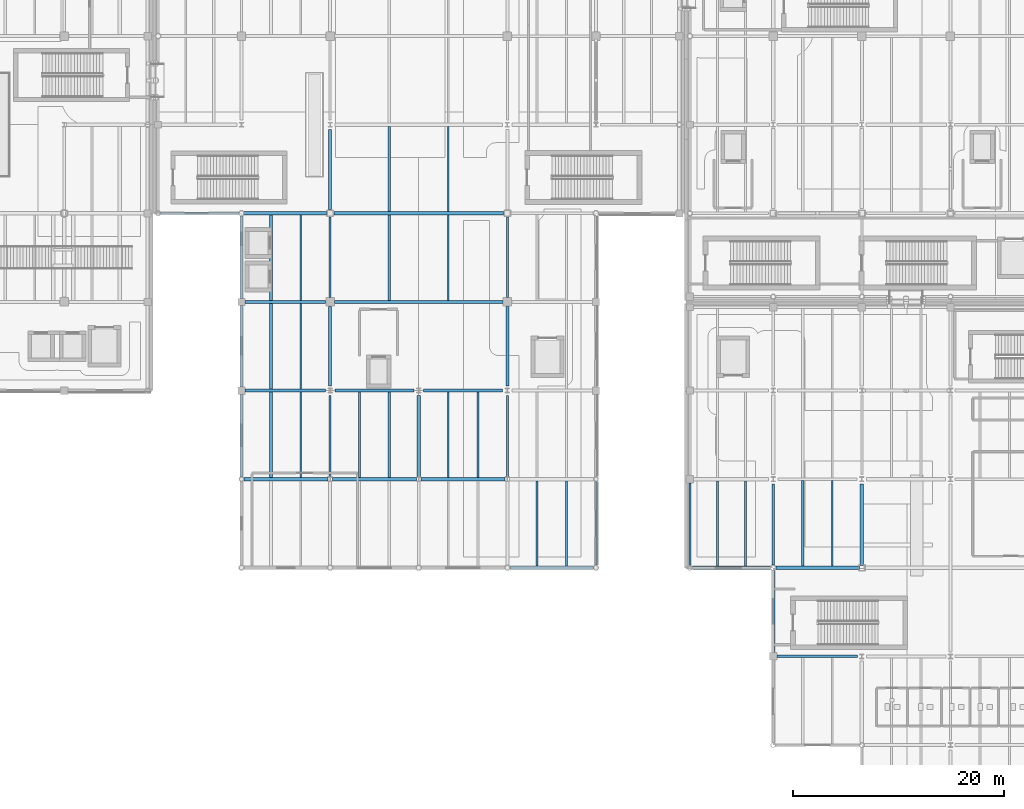
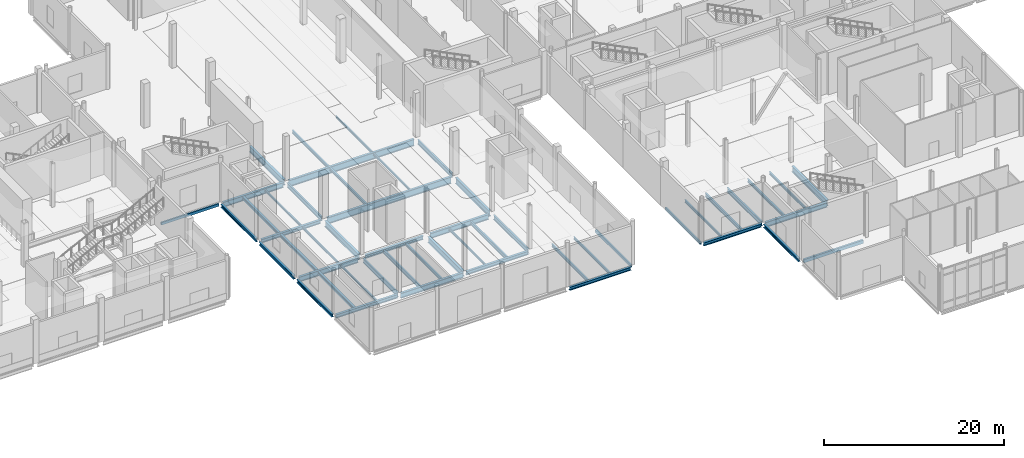
# One storey, part 19 of 85: 51 beams.
"""IFC4 building model written with IfcOpenShell, lengths in metres."""

import ifcopenshell
import ifcopenshell.guid

model = None  # the IFC model being written
_history = None  # IfcOwnerHistory: only IFC2X3 demands one
_inside = {}  # id of a spatial element -> (the spatial element, [elements in it])
_under = {}  # id of a project, library or spatial element -> (it, [spatial elements below it])
_declared = {}  # id of a project -> (the project, [libraries it declares])
_typed = {}  # id of a type object -> (the type object, [elements of that type])
_made_of = {}  # id of a material, layer set ... -> (it, [elements and type objects made of it])


def new_model(schema):
    """Start an empty IFC model of exactly this schema.

    Asked for "IFC4X3", IfcOpenShell would pick the latest addendum, in which some entities
    have other attributes; the version numbers below select the first issue.
    IFC2X3 requires an IfcOwnerHistory on every rooted entity: one is made here for all.
    """
    global model, _history
    if schema == "IFC4X3":
        model = ifcopenshell.file(schema_version=(4, 3, 0, 0))
    else:
        model = ifcopenshell.file(schema=schema)
    _inside.clear()
    _under.clear()
    _declared.clear()
    _typed.clear()
    _made_of.clear()
    _history = None
    if model.schema == "IFC2X3":
        org = make("IfcOrganization", Name="unknown")
        user = make(
            "IfcPersonAndOrganization",
            ThePerson=make("IfcPerson", FamilyName="unknown"),
            TheOrganization=org,
        )
        app = make(
            "IfcApplication",
            ApplicationDeveloper=org,
            Version="unknown",
            ApplicationFullName="unknown",
            ApplicationIdentifier="unknown",
        )
        _history = make(
            "IfcOwnerHistory",
            OwningUser=user,
            OwningApplication=app,
            ChangeAction="ADDED",
            CreationDate=0,
        )
    return model


def make(cls, **values):
    """One entity of the class cls with the attributes given. An attribute that is None is left unset."""
    return model.create_entity(
        cls, **{name: value for name, value in values.items() if value is not None}
    )


def rooted(cls, **values):
    """An entity with a GlobalId (a new one), such as an element, a storey or a relation."""
    return make(cls, GlobalId=ifcopenshell.guid.new(), OwnerHistory=_history, **values)


def si_unit(unit_type, name, prefix=None):
    """IfcSIUnit, for example si_unit("LENGTHUNIT", "METRE", prefix="MILLI")."""
    return make("IfcSIUnit", UnitType=unit_type, Prefix=prefix, Name=name)


def assignment(units):
    """IfcUnitAssignment: the units of a project."""
    return None if units is None else make("IfcUnitAssignment", Units=units)


def point(xyz):
    """IfcCartesianPoint."""
    return None if xyz is None else make("IfcCartesianPoint", Coordinates=xyz)


def direction(xyz):
    """IfcDirection."""
    return None if xyz is None else make("IfcDirection", DirectionRatios=xyz)


def frame(location, z_axis=None, x_axis=None):
    """IfcAxis2Placement3D, a coordinate frame: its origin and axes. An axis left out is left unset."""
    return make(
        "IfcAxis2Placement3D",
        Location=point(location),
        Axis=direction(z_axis),
        RefDirection=direction(x_axis),
    )


def frame_2d(location, x_axis=None):
    """IfcAxis2Placement2D, a coordinate frame in the plane: its origin and x axis."""
    return make(
        "IfcAxis2Placement2D", Location=point(location), RefDirection=direction(x_axis)
    )


def origin():
    """The frame at (0, 0, 0) with its axes left unset."""
    return frame((0.0, 0.0, 0.0))


def origin_2d():
    """The frame at (0, 0) in the plane with its x axis left unset."""
    return frame_2d((0.0, 0.0))


def place(relative_to, where):
    """IfcLocalPlacement: puts the frame where relative to a parent placement (None: the world)."""
    return make(
        "IfcLocalPlacement", PlacementRelTo=relative_to, RelativePlacement=where
    )


def context(
    kind, dimensions, precision=None, world=None, true_north=None, identifier=None
):
    """IfcGeometricRepresentationContext, for example the 3D "Model" context."""
    return make(
        "IfcGeometricRepresentationContext",
        ContextIdentifier=identifier,
        ContextType=kind,
        CoordinateSpaceDimension=dimensions,
        Precision=precision,
        WorldCoordinateSystem=world,
        TrueNorth=true_north,
    )


def subcontext(parent, identifier, kind, view, scale=None):
    """IfcGeometricRepresentationSubContext, for example "Body" below "Model"."""
    return make(
        "IfcGeometricRepresentationSubContext",
        ContextIdentifier=identifier,
        ContextType=kind,
        ParentContext=parent,
        TargetScale=scale,
        TargetView=view,
    )


def project(units=None, contexts=None):
    """IfcProject with its units and contexts."""
    return rooted(
        "IfcProject",
        Name="project",
        RepresentationContexts=contexts,
        UnitsInContext=assignment(units),
    )


def spatial(cls, under=None, at=None, **own):
    """A site, building, storey or space (cls), placed at a placement, below another one or the project."""
    s = rooted(cls, ObjectPlacement=at, **own)
    if under is not None:
        _under.setdefault(under.id(), (under, []))[1].append(s)
    return s


def profile(cls, at=None, kind="AREA", **sizes):
    """A parametric profile (cls). Its sizes go by their IFC names, for example OverallWidth=200.0."""
    return make(cls, ProfileType=kind, Position=at, **sizes)


def hollow_rectangle(**sizes):
    """IfcRectangleHollowProfileDef."""
    return profile("IfcRectangleHollowProfileDef", **sizes)


def i_section(**sizes):
    """IfcIShapeProfileDef."""
    return profile("IfcIShapeProfileDef", **sizes)


def extrude(swept, where, along, depth):
    """IfcExtrudedAreaSolid: the profile swept, set in the frame where, extruded along a direction by depth."""
    return make(
        "IfcExtrudedAreaSolid",
        SweptArea=swept,
        Position=where,
        ExtrudedDirection=direction(along),
        Depth=depth,
    )


def shape(context_of_items, identifier, shape_type, items):
    """IfcShapeRepresentation: the items that make up one representation, for example the "Body"."""
    return make(
        "IfcShapeRepresentation",
        ContextOfItems=context_of_items,
        RepresentationIdentifier=identifier,
        RepresentationType=shape_type,
        Items=items,
    )


def material(Name=None, Category=None):
    """IfcMaterial."""
    return make("IfcMaterial", Name=Name, Category=Category)


def material_profile(
    of_material, cross_section, Name=None, Category=None, Priority=None
):
    """IfcMaterialProfile: a cross section and its material."""
    return make(
        "IfcMaterialProfile",
        Name=Name,
        Material=of_material,
        Profile=cross_section,
        Priority=Priority,
        Category=Category,
    )


def profile_set(profiles, Name=None, composite=None):
    """IfcMaterialProfileSet."""
    return make(
        "IfcMaterialProfileSet",
        Name=Name,
        MaterialProfiles=profiles,
        CompositeProfile=composite,
    )


def made_of(thing, what):
    """Note that an element or type object is made of a material, layer set ...; save() writes the relation."""
    if what is not None:
        _made_of.setdefault(what.id(), (what, []))[1].append(thing)
    return thing


def type_object(cls, material=None, **own):
    """A type object (cls), such as IfcWallType, which elements share."""
    return made_of(rooted(cls, **own), material)


def element(
    cls,
    number,
    at=None,
    inside=None,
    cuts=None,
    type_object=None,
    material=None,
    context=None,
    identifier="Body",
    shape_type=None,
    held_by="IfcProductDefinitionShape",
    body=None,
    shapes=None,
    **own,
):
    """One element of the class cls, such as IfcWall. Its Tag is "e" and its number.

    at: its placement. inside: the storey or other place that contains it. cuts: it is an
    opening in that element (IfcRelVoidsElement). A single representation is given by context,
    identifier, shape_type and body (its items); several are given by shapes. held_by: the class
    of the entity that holds the representations. save() writes the other relations.
    """
    e = rooted(cls, Tag="e%d" % number, ObjectPlacement=at, **own)
    if body is not None:
        shapes = [shape(context, identifier, shape_type, body)]
    if shapes is not None:
        e.Representation = make(held_by, Representations=shapes)
    if inside is not None:
        _inside.setdefault(inside.id(), (inside, []))[1].append(e)
    if cuts is not None:
        rooted(
            "IfcRelVoidsElement", RelatingBuildingElement=cuts, RelatedOpeningElement=e
        )
    if type_object is not None:
        _typed.setdefault(type_object.id(), (type_object, []))[1].append(e)
    return made_of(e, material)


def aggregate(whole, parts):
    """IfcRelAggregates: a whole, such as a stair, and the parts it consists of."""
    return rooted("IfcRelAggregates", RelatingObject=whole, RelatedObjects=parts)


def save(model, path):
    """Write the relations noted so far, then the file.

    IfcRelAggregates (storeys below a building ...), IfcRelContainedInSpatialStructure (elements
    in a storey), IfcRelDefinesByType, IfcRelAssociatesMaterial and IfcRelDeclares: one each for
    every whole, place, type object, material and project.
    """
    for whole, parts in _under.values():
        aggregate(whole, parts)
    for where, things in _inside.values():
        rooted(
            "IfcRelContainedInSpatialStructure",
            RelatedElements=things,
            RelatingStructure=where,
        )
    for kind, things in _typed.values():
        rooted("IfcRelDefinesByType", RelatedObjects=things, RelatingType=kind)
    for what, things in _made_of.values():
        rooted("IfcRelAssociatesMaterial", RelatedObjects=things, RelatingMaterial=what)
    for by, libraries in _declared.values():
        rooted("IfcRelDeclares", RelatingContext=by, RelatedDefinitions=libraries)
    model.write(path)


model = new_model("IFC4")

# Units and contexts
model_context = context("Model", 3, precision=1e-05, world=origin(), true_north=direction((0.0, 1.0)))
body_context = subcontext(model_context, "Body", "Model", "MODEL_VIEW")
ifc_project = project(units=[si_unit("LENGTHUNIT", "METRE"), si_unit("AREAUNIT", "SQUARE_METRE"), si_unit("VOLUMEUNIT", "CUBIC_METRE"), si_unit("PLANEANGLEUNIT", "RADIAN"), si_unit("MASSUNIT", "GRAM", prefix="KILO"), si_unit("THERMODYNAMICTEMPERATUREUNIT", "KELVIN")], contexts=[model_context])

# Site, building, storey
site_placement = place(None, origin())
site = spatial("IfcSite", under=ifc_project, at=site_placement, CompositionType="ELEMENT")
building_placement = place(site_placement, origin())
building = spatial("IfcBuilding", under=site, at=building_placement, Name="Lustrewick Department Store", CompositionType="ELEMENT")
storey_placement = place(building_placement, origin())
storey = spatial("IfcBuildingStorey", under=building, at=storey_placement, Name="L01", CompositionType="ELEMENT", Elevation=0.0)

# Beams
ifc_material_1 = material(Name="Structural steel Q355B", Category="steel")
ifc_material_profile_1 = material_profile(ifc_material_1, i_section(OverallWidth=0.199951171875, OverallDepth=0.5, WebThickness=0.010009765625, FlangeThickness=0.01611328125, FilletRadius=0.01611328125, at=origin_2d()), Name="HN 500x200x10x16")
ifc_profile_set_1 = profile_set([ifc_material_profile_1], Name="Structural steel Q355B")
beam_type_1 = type_object("IfcBeamType", Name="B01", PredefinedType="JOIST", material=ifc_profile_set_1)
beam_1_placement = place(storey_placement, frame((114.966796875, 25.35009765625, -0.52001953125), z_axis=(0.0, 1.0, 0.0), x_axis=(-1.0, 0.0, 0.0)))
element("IfcBeam", 1, at=beam_1_placement, inside=storey, type_object=beam_type_1, Name="L01 V3 Secondary Joist B01", PredefinedType="JOIST", context=body_context, shape_type="SweptSolid", body=[
    extrude(i_section(OverallWidth=0.199951171875, OverallDepth=0.5, WebThickness=0.010009765625, FlangeThickness=0.01611328125, FilletRadius=0.01611328125, at=origin_2d()), origin(), (0.0, 0.0, 1.0), 8.099853515625),
])
ifc_material_profile_2 = material_profile(ifc_material_1, i_section(OverallWidth=0.198974609375, OverallDepth=0.49609375, WebThickness=0.009033203125, FlangeThickness=0.013916015625, FilletRadius=0.01611328125, at=origin_2d()), Name="HN 496x199x9x14")
ifc_profile_set_2 = profile_set([ifc_material_profile_2], Name="Structural steel Q355B")
beam_type_2 = type_object("IfcBeamType", Name="B02", PredefinedType="JOIST", material=ifc_profile_set_2)
for number, where, z_axis, x_axis, name in (
    (2, (78.39990234375, 33.75, -0.51806640625), (0.0, 1.0, 0.0), (-1.0, 0.0, 0.0), "L01 V2 Secondary Joist B02"),
    (3, (89.60009765625, 33.75, -0.51806640625), (0.0, 1.0, 0.0), (-1.0, 0.0, 0.0), "L01 V2 Secondary Joist B02"),
):
    element("IfcBeam", number, at=place(storey_placement, frame(where, z_axis=z_axis, x_axis=x_axis)), inside=storey, type_object=beam_type_2, Name=name, PredefinedType="JOIST", context=body_context, shape_type="SweptSolid", body=[
        extrude(i_section(OverallWidth=0.198974609375, OverallDepth=0.49609375, WebThickness=0.009033203125, FlangeThickness=0.013916015625, FilletRadius=0.01611328125, at=origin_2d()), origin(), (0.0, 0.0, 1.0), 8.10009765625),
    ])
ifc_material_profile_3 = material_profile(ifc_material_1, i_section(OverallWidth=0.199951171875, OverallDepth=0.39990234375, WebThickness=0.008056640625, FlangeThickness=0.012939453125, FilletRadius=0.013916015625, at=origin_2d()), Name="HN 400x200x8x13")
ifc_profile_set_3 = profile_set([ifc_material_profile_3], Name="Structural steel Q355B")
beam_type_3 = type_object("IfcBeamType", Name="B05", PredefinedType="JOIST", material=ifc_profile_set_3)
beam_2_placement = place(storey_placement, frame((81.199951171875, 50.550048828125, -0.469970703125), z_axis=(0.0, 1.0, 0.0), x_axis=(-1.0, 0.0, 0.0)))
element("IfcBeam", 4, at=beam_2_placement, inside=storey, type_object=beam_type_3, Name="L01 V2 Secondary Joist B05", PredefinedType="JOIST", context=body_context, shape_type="SweptSolid", body=[
    extrude(i_section(OverallWidth=0.199951171875, OverallDepth=0.39990234375, WebThickness=0.008056640625, FlangeThickness=0.012939453125, FilletRadius=0.013916015625, at=origin_2d()), origin(), (0.0, 0.0, 1.0), 8.099853515625),
])
beam_3_placement = place(storey_placement, frame((81.199951171875, 58.949951171875, -0.469970703125), z_axis=(0.0, 1.0, 0.0), x_axis=(-1.0, 0.0, 0.0)))
element("IfcBeam", 5, at=beam_3_placement, inside=storey, type_object=beam_type_3, Name="L01 V2 Secondary Joist B05", PredefinedType="JOIST", context=body_context, shape_type="SweptSolid", body=[
    extrude(i_section(OverallWidth=0.199951171875, OverallDepth=0.39990234375, WebThickness=0.008056640625, FlangeThickness=0.012939453125, FilletRadius=0.013916015625, at=origin_2d()), origin(), (0.0, 0.0, 1.0), 8.10009765625),
])
beam_4_placement = place(storey_placement, frame((120.39990234375, 25.35009765625, -0.469970703125), z_axis=(0.0, 1.0, 0.0), x_axis=(-1.0, 0.0, 0.0)))
element("IfcBeam", 6, at=beam_4_placement, inside=storey, type_object=beam_type_3, Name="L01 V3 Secondary Joist B05", PredefinedType="JOIST", context=body_context, shape_type="SweptSolid", body=[
    extrude(i_section(OverallWidth=0.199951171875, OverallDepth=0.39990234375, WebThickness=0.008056640625, FlangeThickness=0.012939453125, FilletRadius=0.013916015625, at=origin_2d()), origin(), (0.0, 0.0, 1.0), 8.125),
])
ifc_material_profile_4 = material_profile(ifc_material_1, i_section(OverallWidth=0.198974609375, OverallDepth=0.39599609375, WebThickness=0.007080078125, FlangeThickness=0.010986328125, FilletRadius=0.013916015625, at=origin_2d()), Name="HN 396x199x7x11")
ifc_profile_set_4 = profile_set([ifc_material_profile_4], Name="Structural steel Q355B")
beam_type_4 = type_object("IfcBeamType", Name="B06", PredefinedType="JOIST", material=ifc_profile_set_4)
beam_5_placement = place(storey_placement, frame((95.199951171875, 25.35009765625, -0.468017578125), z_axis=(0.0, 1.0, 0.0), x_axis=(-1.0, 0.0, 0.0)))
element("IfcBeam", 7, at=beam_5_placement, inside=storey, type_object=beam_type_4, Name="L01 V2 Secondary Joist B06", PredefinedType="JOIST", context=body_context, shape_type="SweptSolid", body=[
    extrude(i_section(OverallWidth=0.198974609375, OverallDepth=0.39599609375, WebThickness=0.007080078125, FlangeThickness=0.010986328125, FilletRadius=0.013916015625, at=origin_2d()), origin(), (0.0, 0.0, 1.0), 8.099853515625),
])
beam_6_placement = place(storey_placement, frame((81.199951171875, 33.75, -0.468017578125), z_axis=(0.0, 1.0, 0.0), x_axis=(-1.0, 0.0, 0.0)))
element("IfcBeam", 8, at=beam_6_placement, inside=storey, type_object=beam_type_4, Name="L01 V2 Secondary Joist B06", PredefinedType="JOIST", context=body_context, shape_type="SweptSolid", body=[
    extrude(i_section(OverallWidth=0.198974609375, OverallDepth=0.39599609375, WebThickness=0.007080078125, FlangeThickness=0.010986328125, FilletRadius=0.013916015625, at=origin_2d()), origin(), (0.0, 0.0, 1.0), 8.10009765625),
])
ifc_material_profile_5 = material_profile(ifc_material_1, i_section(OverallWidth=0.300048828125, OverallDepth=0.389892578125, WebThickness=0.010009765625, FlangeThickness=0.01611328125, FilletRadius=0.01806640625, at=origin_2d()), Name="HM 390x300x10x16")
ifc_profile_set_5 = profile_set([ifc_material_profile_5], Name="Structural steel Q355B")
beam_type_5 = type_object("IfcBeamType", Name="B07", PredefinedType="JOIST", material=ifc_profile_set_5)
for number, where, z_axis, x_axis, name in (
    (9, (70.0, 33.75, -0.465087890625), (0.0, 1.0, 0.0), (-1.0, 0.0, 0.0), "L01 V2 Secondary Joist B07"),
    (10, (70.0, 42.14990234375, -0.465087890625), (0.0, 1.0, 0.0), (-1.0, 0.0, 0.0), "L01 V2 Secondary Joist B07"),
):
    element("IfcBeam", number, at=place(storey_placement, frame(where, z_axis=z_axis, x_axis=x_axis)), inside=storey, type_object=beam_type_5, Name=name, PredefinedType="JOIST", context=body_context, shape_type="SweptSolid", body=[
        extrude(i_section(OverallWidth=0.300048828125, OverallDepth=0.389892578125, WebThickness=0.010009765625, FlangeThickness=0.01611328125, FilletRadius=0.01806640625, at=origin_2d()), origin(), (0.0, 0.0, 1.0), 8.10009765625),
    ])
beam_7_placement = place(storey_placement, frame((70.0, 50.550048828125, -0.465087890625), z_axis=(0.0, 1.0, 0.0), x_axis=(-1.0, 0.0, 0.0)))
element("IfcBeam", 11, at=beam_7_placement, inside=storey, type_object=beam_type_5, Name="L01 V2 Secondary Joist B07", PredefinedType="JOIST", context=body_context, shape_type="SweptSolid", body=[
    extrude(i_section(OverallWidth=0.300048828125, OverallDepth=0.389892578125, WebThickness=0.010009765625, FlangeThickness=0.01611328125, FilletRadius=0.01806640625, at=origin_2d()), origin(), (0.0, 0.0, 1.0), 8.099853515625),
])
ifc_material_profile_6 = material_profile(ifc_material_1, i_section(OverallWidth=0.175048828125, OverallDepth=0.35009765625, WebThickness=0.007080078125, FlangeThickness=0.010986328125, FilletRadius=0.012939453125, at=origin_2d()), Name="HN 350x175x7x11")
ifc_profile_set_6 = profile_set([ifc_material_profile_6], Name="Structural steel Q355B")
beam_type_6 = type_object("IfcBeamType", Name="B09", PredefinedType="JOIST", material=ifc_profile_set_6)
beam_8_placement = place(storey_placement, frame((123.199951171875, 25.35009765625, -0.445068359375), z_axis=(0.0, 1.0, 0.0), x_axis=(-1.0, 0.0, 0.0)))
element("IfcBeam", 12, at=beam_8_placement, inside=storey, type_object=beam_type_6, Name="L01 V3 Secondary Joist B09", PredefinedType="JOIST", context=body_context, shape_type="SweptSolid", body=[
    extrude(i_section(OverallWidth=0.175048828125, OverallDepth=0.35009765625, WebThickness=0.007080078125, FlangeThickness=0.010986328125, FilletRadius=0.012939453125, at=origin_2d()), origin(), (0.0, 0.0, 1.0), 8.125),
])
ifc_material_profile_7 = material_profile(ifc_material_1, i_section(OverallWidth=0.174072265625, OverallDepth=0.345947265625, WebThickness=0.006103515625, FlangeThickness=0.009033203125, FilletRadius=0.012939453125, at=origin_2d()), Name="HN 346x174x6x9")
ifc_profile_set_7 = profile_set([ifc_material_profile_7], Name="Structural steel Q355B")
beam_type_7 = type_object("IfcBeamType", Name="B10", PredefinedType="JOIST", material=ifc_profile_set_7)
for number, where, z_axis, x_axis, name in (
    (13, (98.0, 25.35009765625, -0.443115234375), (0.0, 1.0, 0.0), (-1.0, 0.0, 0.0), "L01 V2 Secondary Joist B10"),
    (14, (112.333251953125, 25.35009765625, -0.443115234375), (0.0, 1.0, 0.0), (-1.0, 0.0, 0.0), "L01 V3 Secondary Joist B10"),
):
    element("IfcBeam", number, at=place(storey_placement, frame(where, z_axis=z_axis, x_axis=x_axis)), inside=storey, type_object=beam_type_7, Name=name, PredefinedType="JOIST", context=body_context, shape_type="SweptSolid", body=[
        extrude(i_section(OverallWidth=0.174072265625, OverallDepth=0.345947265625, WebThickness=0.006103515625, FlangeThickness=0.009033203125, FilletRadius=0.012939453125, at=origin_2d()), origin(), (0.0, 0.0, 1.0), 8.099853515625),
    ])
ifc_material_profile_8 = material_profile(ifc_material_1, i_section(OverallWidth=0.14990234375, OverallDepth=0.300048828125, WebThickness=0.006591796875, FlangeThickness=0.009033203125, FilletRadius=0.011962890625, at=origin_2d()), Name="HN 300x150x6.5x9")
ifc_profile_set_8 = profile_set([ifc_material_profile_8], Name="Structural steel Q355B")
beam_type_8 = type_object("IfcBeamType", Name="B11", PredefinedType="JOIST", material=ifc_profile_set_8)
for number, where, z_axis, x_axis, name in (
    (15, (72.800048828125, 33.75, -0.419921875), (0.0, 1.0, 0.0), (-1.0, 0.0, 0.0), "L01 V2 Secondary Joist B11"),
    (16, (86.800048828125, 33.75, -0.419921875), (0.0, 1.0, 0.0), (-1.0, 0.0, 0.0), "L01 V2 Secondary Joist B11"),
    (17, (72.800048828125, 42.14990234375, -0.419921875), (0.0, 1.0, 0.0), (-1.0, 0.0, 0.0), "L01 V2 Secondary Joist B11"),
):
    element("IfcBeam", number, at=place(storey_placement, frame(where, z_axis=z_axis, x_axis=x_axis)), inside=storey, type_object=beam_type_8, Name=name, PredefinedType="JOIST", context=body_context, shape_type="SweptSolid", body=[
        extrude(i_section(OverallWidth=0.14990234375, OverallDepth=0.300048828125, WebThickness=0.006591796875, FlangeThickness=0.009033203125, FilletRadius=0.011962890625, at=origin_2d()), origin(), (0.0, 0.0, 1.0), 8.10009765625),
    ])
beam_9_placement = place(storey_placement, frame((72.800048828125, 50.550048828125, -0.419921875), z_axis=(0.0, 1.0, 0.0), x_axis=(-1.0, 0.0, 0.0)))
element("IfcBeam", 18, at=beam_9_placement, inside=storey, type_object=beam_type_8, Name="L01 V2 Secondary Joist B11", PredefinedType="JOIST", context=body_context, shape_type="SweptSolid", body=[
    extrude(i_section(OverallWidth=0.14990234375, OverallDepth=0.300048828125, WebThickness=0.006591796875, FlangeThickness=0.009033203125, FilletRadius=0.011962890625, at=origin_2d()), origin(), (0.0, 0.0, 1.0), 8.099853515625),
])
ifc_material_profile_9 = material_profile(ifc_material_1, i_section(OverallWidth=0.14892578125, OverallDepth=0.298095703125, WebThickness=0.005615234375, FlangeThickness=0.008056640625, FilletRadius=0.011962890625, at=origin_2d()), Name="HN 298x149x5.5x8")
ifc_profile_set_9 = profile_set([ifc_material_profile_9], Name="Structural steel Q355B")
beam_type_9 = type_object("IfcBeamType", Name="B12", PredefinedType="JOIST", material=ifc_profile_set_9)
beam_10_placement = place(storey_placement, frame((86.800048828125, 50.550048828125, -0.4189453125), z_axis=(0.0, 1.0, 0.0), x_axis=(-1.0, 0.0, 0.0)))
element("IfcBeam", 19, at=beam_10_placement, inside=storey, type_object=beam_type_9, Name="L01 V2 Secondary Joist B12", PredefinedType="JOIST", context=body_context, shape_type="SweptSolid", body=[
    extrude(i_section(OverallWidth=0.14892578125, OverallDepth=0.298095703125, WebThickness=0.005615234375, FlangeThickness=0.008056640625, FilletRadius=0.011962890625, at=origin_2d()), origin(), (0.0, 0.0, 1.0), 8.099853515625),
])
beam_11_placement = place(storey_placement, frame((86.800048828125, 58.949951171875, -0.4189453125), z_axis=(0.0, 1.0, 0.0), x_axis=(-1.0, 0.0, 0.0)))
element("IfcBeam", 20, at=beam_11_placement, inside=storey, type_object=beam_type_9, Name="L01 V2 Secondary Joist B12", PredefinedType="JOIST", context=body_context, shape_type="SweptSolid", body=[
    extrude(i_section(OverallWidth=0.14892578125, OverallDepth=0.298095703125, WebThickness=0.005615234375, FlangeThickness=0.008056640625, FilletRadius=0.011962890625, at=origin_2d()), origin(), (0.0, 0.0, 1.0), 8.10009765625),
])
ifc_material_2 = material(Name="Structural steel Q355C", Category="steel")
ifc_material_profile_10 = material_profile(ifc_material_2, i_section(OverallWidth=0.300048828125, OverallDepth=0.89990234375, WebThickness=0.01611328125, FlangeThickness=0.028076171875, FilletRadius=0.02392578125, at=origin_2d()), Name="HN 900x300x16x28")
ifc_profile_set_10 = profile_set([ifc_material_profile_10], Name="Structural steel Q355C")
beam_type_10 = type_object("IfcBeamType", Name="G02", PredefinedType="BEAM", material=ifc_profile_set_10)
beam_12_placement = place(storey_placement, frame((76.02490234375, 50.39990234375, -0.719970703125), z_axis=(1.0, 0.0, 0.0), x_axis=(0.0, 1.0, 0.0)))
element("IfcBeam", 21, at=beam_12_placement, inside=storey, type_object=beam_type_10, Name="L01 V2 Girder G02", PredefinedType="BEAM", context=body_context, shape_type="SweptSolid", body=[
    extrude(i_section(OverallWidth=0.300048828125, OverallDepth=0.89990234375, WebThickness=0.01611328125, FlangeThickness=0.028076171875, FilletRadius=0.02392578125, at=origin_2d()), origin(), (0.0, 0.0, 1.0), 15.9501953125),
])
beam_13_placement = place(storey_placement, frame((75.949951171875, 58.800048828125, -0.719970703125), z_axis=(1.0, 0.0, 0.0), x_axis=(0.0, 1.0, 0.0)))
element("IfcBeam", 22, at=beam_13_placement, inside=storey, type_object=beam_type_10, Name="L01 V2 Girder G02", PredefinedType="BEAM", context=body_context, shape_type="SweptSolid", body=[
    extrude(i_section(OverallWidth=0.300048828125, OverallDepth=0.89990234375, WebThickness=0.01611328125, FlangeThickness=0.028076171875, FilletRadius=0.02392578125, at=origin_2d()), origin(), (0.0, 0.0, 1.0), 16.10009765625),
])
ifc_material_profile_11 = material_profile(ifc_material_2, i_section(OverallWidth=0.302001953125, OverallDepth=0.80810546875, WebThickness=0.01611328125, FlangeThickness=0.030029296875, FilletRadius=0.02197265625, at=origin_2d()), Name="HN 808x302x16x30")
ifc_profile_set_11 = profile_set([ifc_material_profile_11], Name="Structural steel Q355C")
beam_type_11 = type_object("IfcBeamType", Name="G04", PredefinedType="BEAM", material=ifc_profile_set_11)
beam_14_placement = place(storey_placement, frame((75.60009765625, 59.14990234375, -0.674072265625), z_axis=(0.0, 1.0, 0.0), x_axis=(-1.0, 0.0, 0.0)))
element("IfcBeam", 23, at=beam_14_placement, inside=storey, type_object=beam_type_11, Name="L01 V2 Girder G04", PredefinedType="BEAM", context=body_context, shape_type="SweptSolid", body=[
    extrude(i_section(OverallWidth=0.302001953125, OverallDepth=0.80810546875, WebThickness=0.01611328125, FlangeThickness=0.030029296875, FilletRadius=0.02197265625, at=origin_2d()), origin(), (0.0, 0.0, 1.0), 7.60009765625),
])
beam_15_placement = place(storey_placement, frame((92.39990234375, 42.449951171875, -0.674072265625), z_axis=(0.0, 1.0, 0.0), x_axis=(-1.0, 0.0, 0.0)))
element("IfcBeam", 24, at=beam_15_placement, inside=storey, type_object=beam_type_11, Name="L01 V2 Girder G04", PredefinedType="BEAM", context=body_context, shape_type="SweptSolid", body=[
    extrude(i_section(OverallWidth=0.302001953125, OverallDepth=0.80810546875, WebThickness=0.01611328125, FlangeThickness=0.030029296875, FilletRadius=0.02197265625, at=origin_2d()), origin(), (0.0, 0.0, 1.0), 7.525146484375),
])
beam_16_placement = place(storey_placement, frame((126.0, 25.4140625, -0.674072265625), z_axis=(0.0, 1.0, 0.0), x_axis=(-1.0, 0.0, 0.0)))
element("IfcBeam", 25, at=beam_16_placement, inside=storey, type_object=beam_type_11, Name="L01 V3 Girder G04", PredefinedType="BEAM", context=body_context, shape_type="SweptSolid", body=[
    extrude(i_section(OverallWidth=0.302001953125, OverallDepth=0.80810546875, WebThickness=0.01611328125, FlangeThickness=0.030029296875, FilletRadius=0.02197265625, at=origin_2d()), origin(), (0.0, 0.0, 1.0), 7.73583984375),
])
ifc_material_profile_12 = material_profile(ifc_material_1, i_section(OverallWidth=0.300048828125, OverallDepth=0.800048828125, WebThickness=0.013916015625, FlangeThickness=0.02587890625, FilletRadius=0.02197265625, at=origin_2d()), Name="HN 800x300x14x26")
ifc_profile_set_12 = profile_set([ifc_material_profile_12], Name="Structural steel Q355B")
beam_type_12 = type_object("IfcBeamType", Name="G05", PredefinedType="BEAM", material=ifc_profile_set_12)
beam_17_placement = place(storey_placement, frame((75.60009765625, 42.449951171875, -0.669921875), z_axis=(0.0, 1.0, 0.0), x_axis=(-1.0, 0.0, 0.0)))
element("IfcBeam", 26, at=beam_17_placement, inside=storey, type_object=beam_type_12, Name="L01 V2 Girder G05", PredefinedType="BEAM", context=body_context, shape_type="SweptSolid", body=[
    extrude(i_section(OverallWidth=0.300048828125, OverallDepth=0.800048828125, WebThickness=0.013916015625, FlangeThickness=0.02587890625, FilletRadius=0.02197265625, at=origin_2d()), origin(), (0.0, 0.0, 1.0), 7.525146484375),
])
beam_18_placement = place(storey_placement, frame((84.0, 33.81396484375, -0.669921875), z_axis=(0.0, 1.0, 0.0), x_axis=(-1.0, 0.0, 0.0)))
element("IfcBeam", 27, at=beam_18_placement, inside=storey, type_object=beam_type_12, Name="L01 V2 Girder G05", PredefinedType="BEAM", context=body_context, shape_type="SweptSolid", body=[
    extrude(i_section(OverallWidth=0.300048828125, OverallDepth=0.800048828125, WebThickness=0.013916015625, FlangeThickness=0.02587890625, FilletRadius=0.02197265625, at=origin_2d()), origin(), (0.0, 0.0, 1.0), 7.736083984375),
])
ifc_material_profile_13 = material_profile(ifc_material_1, i_section(OverallWidth=0.300048828125, OverallDepth=0.699951171875, WebThickness=0.012939453125, FlangeThickness=0.02392578125, FilletRadius=0.02001953125, at=origin_2d()), Name="HN 700x300x13x24")
ifc_profile_set_13 = profile_set([ifc_material_profile_13], Name="Structural steel Q355B")
beam_type_13 = type_object("IfcBeamType", Name="G08", PredefinedType="BEAM", material=ifc_profile_set_13)
beam_19_placement = place(storey_placement, frame((75.803466796875, 33.60009765625, -0.6201171875), z_axis=(1.0, 0.0, 0.0), x_axis=(0.0, 1.0, 0.0)))
element("IfcBeam", 28, at=beam_19_placement, inside=storey, type_object=beam_type_13, Name="L01 V2 Girder G08", PredefinedType="BEAM", context=body_context, shape_type="SweptSolid", body=[
    extrude(i_section(OverallWidth=0.300048828125, OverallDepth=0.699951171875, WebThickness=0.012939453125, FlangeThickness=0.02392578125, FilletRadius=0.02001953125, at=origin_2d()), origin(), (0.0, 0.0, 1.0), 7.992919921875),
])
beam_20_placement = place(storey_placement, frame((67.550048828125, 42.0, -0.6201171875), z_axis=(1.0, 0.0, 0.0), x_axis=(0.0, 1.0, 0.0)))
element("IfcBeam", 29, at=beam_20_placement, inside=storey, type_object=beam_type_13, Name="L01 V2 Girder G08", PredefinedType="BEAM", context=body_context, shape_type="SweptSolid", body=[
    extrude(i_section(OverallWidth=0.300048828125, OverallDepth=0.699951171875, WebThickness=0.012939453125, FlangeThickness=0.02392578125, FilletRadius=0.02001953125, at=origin_2d()), origin(), (0.0, 0.0, 1.0), 7.599853515625),
])
beam_21_placement = place(storey_placement, frame((84.449951171875, 42.0, -0.6201171875), z_axis=(1.0, 0.0, 0.0), x_axis=(0.0, 1.0, 0.0)))
element("IfcBeam", 30, at=beam_21_placement, inside=storey, type_object=beam_type_13, Name="L01 V2 Girder G08", PredefinedType="BEAM", context=body_context, shape_type="SweptSolid", body=[
    extrude(i_section(OverallWidth=0.300048828125, OverallDepth=0.699951171875, WebThickness=0.012939453125, FlangeThickness=0.02392578125, FilletRadius=0.02001953125, at=origin_2d()), origin(), (0.0, 0.0, 1.0), 7.5),
])
beam_22_placement = place(storey_placement, frame((67.4541015625, 58.800048828125, -0.6201171875), z_axis=(1.0, 0.0, 0.0), x_axis=(0.0, 1.0, 0.0)))
element("IfcBeam", 31, at=beam_22_placement, inside=storey, type_object=beam_type_13, Name="L01 V2 Girder G08", PredefinedType="BEAM", context=body_context, shape_type="SweptSolid", body=[
    extrude(i_section(OverallWidth=0.300048828125, OverallDepth=0.699951171875, WebThickness=0.012939453125, FlangeThickness=0.02392578125, FilletRadius=0.02001953125, at=origin_2d()), origin(), (0.0, 0.0, 1.0), 7.7958984375),
])
beam_23_placement = place(storey_placement, frame((117.85400390625, 25.199951171875, -0.6201171875), z_axis=(1.0, 0.0, 0.0), x_axis=(0.0, 1.0, 0.0)))
element("IfcBeam", 32, at=beam_23_placement, inside=storey, type_object=beam_type_13, Name="L01 V3 Girder G08", PredefinedType="BEAM", context=body_context, shape_type="SweptSolid", body=[
    extrude(i_section(OverallWidth=0.300048828125, OverallDepth=0.699951171875, WebThickness=0.012939453125, FlangeThickness=0.02392578125, FilletRadius=0.02001953125, at=origin_2d()), origin(), (0.0, 0.0, 1.0), 7.9423828125),
])
ifc_material_profile_14 = material_profile(ifc_material_1, i_section(OverallWidth=0.200927734375, OverallDepth=0.60595703125, WebThickness=0.011962890625, FlangeThickness=0.02001953125, FilletRadius=0.01806640625, at=origin_2d()), Name="HN 606x201x12x20")
ifc_profile_set_14 = profile_set([ifc_material_profile_14], Name="Structural steel Q355B")
beam_type_14 = type_object("IfcBeamType", Name="G13", PredefinedType="BEAM", material=ifc_profile_set_14)
beam_24_placement = place(storey_placement, frame((75.60009765625, 33.81396484375, -0.572998046875), z_axis=(0.0, 1.0, 0.0), x_axis=(-1.0, 0.0, 0.0)))
element("IfcBeam", 33, at=beam_24_placement, inside=storey, type_object=beam_type_14, Name="L01 V2 Girder G13", PredefinedType="BEAM", context=body_context, shape_type="SweptSolid", body=[
    extrude(i_section(OverallWidth=0.200927734375, OverallDepth=0.60595703125, WebThickness=0.011962890625, FlangeThickness=0.02001953125, FilletRadius=0.01806640625, at=origin_2d()), origin(), (0.0, 0.0, 1.0), 7.736083984375),
])
beam_25_placement = place(storey_placement, frame((75.60009765625, 50.824951171875, -0.572998046875), z_axis=(0.0, 1.0, 0.0), x_axis=(-1.0, 0.0, 0.0)))
element("IfcBeam", 34, at=beam_25_placement, inside=storey, type_object=beam_type_14, Name="L01 V2 Girder G13", PredefinedType="BEAM", context=body_context, shape_type="SweptSolid", body=[
    extrude(i_section(OverallWidth=0.200927734375, OverallDepth=0.60595703125, WebThickness=0.011962890625, FlangeThickness=0.02001953125, FilletRadius=0.01806640625, at=origin_2d()), origin(), (0.0, 0.0, 1.0), 7.625),
])
beam_26_placement = place(storey_placement, frame((92.39990234375, 33.81396484375, -0.572998046875), z_axis=(0.0, 1.0, 0.0), x_axis=(-1.0, 0.0, 0.0)))
element("IfcBeam", 35, at=beam_26_placement, inside=storey, type_object=beam_type_14, Name="L01 V2 Girder G13", PredefinedType="BEAM", context=body_context, shape_type="SweptSolid", body=[
    extrude(i_section(OverallWidth=0.200927734375, OverallDepth=0.60595703125, WebThickness=0.011962890625, FlangeThickness=0.02001953125, FilletRadius=0.01806640625, at=origin_2d()), origin(), (0.0, 0.0, 1.0), 7.736083984375),
])
beam_27_placement = place(storey_placement, frame((92.39990234375, 50.824951171875, -0.572998046875), z_axis=(0.0, 1.0, 0.0), x_axis=(-1.0, 0.0, 0.0)))
element("IfcBeam", 36, at=beam_27_placement, inside=storey, type_object=beam_type_14, Name="L01 V2 Girder G13", PredefinedType="BEAM", context=body_context, shape_type="SweptSolid", body=[
    extrude(i_section(OverallWidth=0.200927734375, OverallDepth=0.60595703125, WebThickness=0.011962890625, FlangeThickness=0.02001953125, FilletRadius=0.01806640625, at=origin_2d()), origin(), (0.0, 0.0, 1.0), 7.625),
])
beam_28_placement = place(storey_placement, frame((117.60009765625, 25.4541015625, -0.572998046875), z_axis=(0.0, 1.0, 0.0), x_axis=(-1.0, 0.0, 0.0)))
element("IfcBeam", 37, at=beam_28_placement, inside=storey, type_object=beam_type_14, Name="L01 V3 Girder G13", PredefinedType="BEAM", context=body_context, shape_type="SweptSolid", body=[
    extrude(i_section(OverallWidth=0.200927734375, OverallDepth=0.60595703125, WebThickness=0.011962890625, FlangeThickness=0.02001953125, FilletRadius=0.01806640625, at=origin_2d()), origin(), (0.0, 0.0, 1.0), 7.69580078125),
])
ifc_material_profile_15 = material_profile(ifc_material_2, hollow_rectangle(XDim=0.25, YDim=0.449951171875, WallThickness=0.013916015625, at=origin_2d()), Name="RHS 450x250x14")
ifc_profile_set_15 = profile_set([ifc_material_profile_15], Name="Structural steel Q355C")
beam_type_15 = type_object("IfcBeamType", Name="G18", PredefinedType="BEAM", material=ifc_profile_set_15)
beam_29_placement = place(storey_placement, frame((117.949951171875, 16.800048828125, -0.4951171875), z_axis=(1.0, 0.0, 0.0), x_axis=(0.0, 1.0, 0.0)))
element("IfcBeam", 38, at=beam_29_placement, inside=storey, type_object=beam_type_15, Name="L01 V3 Girder G18", PredefinedType="BEAM", context=body_context, shape_type="SweptSolid", body=[
    extrude(hollow_rectangle(XDim=0.25, YDim=0.449951171875, WallThickness=0.013916015625, at=origin_2d()), origin(), (0.0, 0.0, 1.0), 7.625),
])
ifc_material_profile_16 = material_profile(ifc_material_1, i_section(OverallWidth=0.300048828125, OverallDepth=0.48193359375, WebThickness=0.010986328125, FlangeThickness=0.014892578125, FilletRadius=0.02197265625, at=origin_2d()), Name="HM 482x300x11x15")
ifc_profile_set_16 = profile_set([ifc_material_profile_16], Name="Structural steel Q355B")
beam_type_16 = type_object("IfcBeamType", Name="G20", PredefinedType="BEAM", material=ifc_profile_set_16)
beam_30_placement = place(storey_placement, frame((67.428466796875, 33.60009765625, -0.510986328125), z_axis=(1.0, 0.0, 0.0), x_axis=(0.0, 1.0, 0.0)))
element("IfcBeam", 39, at=beam_30_placement, inside=storey, type_object=beam_type_16, Name="L01 V2 Girder G20", PredefinedType="BEAM", context=body_context, shape_type="SweptSolid", body=[
    extrude(i_section(OverallWidth=0.300048828125, OverallDepth=0.48193359375, WebThickness=0.010986328125, FlangeThickness=0.014892578125, FilletRadius=0.02197265625, at=origin_2d()), origin(), (0.0, 0.0, 1.0), 7.968017578125),
])
beam_31_placement = place(storey_placement, frame((84.20361328125, 33.60009765625, -0.510986328125), z_axis=(1.0, 0.0, 0.0), x_axis=(0.0, 1.0, 0.0)))
element("IfcBeam", 40, at=beam_31_placement, inside=storey, type_object=beam_type_16, Name="L01 V2 Girder G20", PredefinedType="BEAM", context=body_context, shape_type="SweptSolid", body=[
    extrude(i_section(OverallWidth=0.300048828125, OverallDepth=0.48193359375, WebThickness=0.010986328125, FlangeThickness=0.014892578125, FilletRadius=0.02197265625, at=origin_2d()), origin(), (0.0, 0.0, 1.0), 7.992919921875),
])
beam_32_placement = place(storey_placement, frame((76.050048828125, 42.0, -0.510986328125), z_axis=(1.0, 0.0, 0.0), x_axis=(0.0, 1.0, 0.0)))
element("IfcBeam", 41, at=beam_32_placement, inside=storey, type_object=beam_type_16, Name="L01 V2 Girder G20", PredefinedType="BEAM", context=body_context, shape_type="SweptSolid", body=[
    extrude(i_section(OverallWidth=0.300048828125, OverallDepth=0.48193359375, WebThickness=0.010986328125, FlangeThickness=0.014892578125, FilletRadius=0.02197265625, at=origin_2d()), origin(), (0.0, 0.0, 1.0), 7.5),
])
beam_33_placement = place(storey_placement, frame((67.52490234375, 50.39990234375, -0.510986328125), z_axis=(1.0, 0.0, 0.0), x_axis=(0.0, 1.0, 0.0)))
element("IfcBeam", 42, at=beam_33_placement, inside=storey, type_object=beam_type_16, Name="L01 V2 Girder G20", PredefinedType="BEAM", context=body_context, shape_type="SweptSolid", body=[
    extrude(i_section(OverallWidth=0.300048828125, OverallDepth=0.48193359375, WebThickness=0.010986328125, FlangeThickness=0.014892578125, FilletRadius=0.02197265625, at=origin_2d()), origin(), (0.0, 0.0, 1.0), 7.650146484375),
])
ifc_material_profile_17 = material_profile(ifc_material_1, i_section(OverallWidth=0.300048828125, OverallDepth=0.43994140625, WebThickness=0.010986328125, FlangeThickness=0.01806640625, FilletRadius=0.02001953125, at=origin_2d()), Name="HM 440x300x11x18")
ifc_profile_set_17 = profile_set([ifc_material_profile_17], Name="Structural steel Q355B")
beam_type_17 = type_object("IfcBeamType", Name="SP02", PredefinedType="SPANDREL", material=ifc_profile_set_17)
beam_34_placement = place(storey_placement, frame((92.654052734375, 25.199951171875, -0.489990234375), z_axis=(1.0, 0.0, 0.0), x_axis=(0.0, 1.0, 0.0)))
element("IfcBeam", 43, at=beam_34_placement, inside=storey, type_object=beam_type_17, Name="L01 V2 Girder SP02", PredefinedType="SPANDREL", context=body_context, shape_type="SweptSolid", body=[
    extrude(i_section(OverallWidth=0.300048828125, OverallDepth=0.43994140625, WebThickness=0.010986328125, FlangeThickness=0.01806640625, FilletRadius=0.02001953125, at=origin_2d()), origin(), (0.0, 0.0, 1.0), 7.891845703125),
])
beam_35_placement = place(storey_placement, frame((67.199951171875, 33.82861328125, -0.489990234375), z_axis=(0.0, 1.0, 0.0), x_axis=(-1.0, 0.0, 0.0)))
element("IfcBeam", 44, at=beam_35_placement, inside=storey, type_object=beam_type_17, Name="L01 V2 Girder SP02", PredefinedType="SPANDREL", context=body_context, shape_type="SweptSolid", body=[
    extrude(i_section(OverallWidth=0.300048828125, OverallDepth=0.43994140625, WebThickness=0.010986328125, FlangeThickness=0.01806640625, FilletRadius=0.02001953125, at=origin_2d()), origin(), (0.0, 0.0, 1.0), 7.8212890625),
])
beam_36_placement = place(storey_placement, frame((67.199951171875, 42.35009765625, -0.489990234375), z_axis=(0.0, 1.0, 0.0), x_axis=(-1.0, 0.0, 0.0)))
element("IfcBeam", 45, at=beam_36_placement, inside=storey, type_object=beam_type_17, Name="L01 V2 Girder SP02", PredefinedType="SPANDREL", context=body_context, shape_type="SweptSolid", body=[
    extrude(i_section(OverallWidth=0.300048828125, OverallDepth=0.43994140625, WebThickness=0.010986328125, FlangeThickness=0.01806640625, FilletRadius=0.02001953125, at=origin_2d()), origin(), (0.0, 0.0, 1.0), 7.724853515625),
])
beam_37_placement = place(storey_placement, frame((67.199951171875, 50.72509765625, -0.489990234375), z_axis=(0.0, 1.0, 0.0), x_axis=(-1.0, 0.0, 0.0)))
element("IfcBeam", 46, at=beam_37_placement, inside=storey, type_object=beam_type_17, Name="L01 V2 Girder SP02", PredefinedType="SPANDREL", context=body_context, shape_type="SweptSolid", body=[
    extrude(i_section(OverallWidth=0.300048828125, OverallDepth=0.43994140625, WebThickness=0.010986328125, FlangeThickness=0.01806640625, FilletRadius=0.02001953125, at=origin_2d()), origin(), (0.0, 0.0, 1.0), 7.82080078125),
])
beam_38_placement = place(storey_placement, frame((109.928466796875, 25.199951171875, -0.489990234375), z_axis=(1.0, 0.0, 0.0), x_axis=(0.0, 1.0, 0.0)))
element("IfcBeam", 47, at=beam_38_placement, inside=storey, type_object=beam_type_17, Name="L01 V3 Girder SP02", PredefinedType="SPANDREL", context=body_context, shape_type="SweptSolid", body=[
    extrude(i_section(OverallWidth=0.300048828125, OverallDepth=0.43994140625, WebThickness=0.010986328125, FlangeThickness=0.01806640625, FilletRadius=0.02001953125, at=origin_2d()), origin(), (0.0, 0.0, 1.0), 7.41748046875),
])
beam_39_placement = place(storey_placement, frame((117.60009765625, 17.14990234375, -0.489990234375), z_axis=(0.0, 1.0, 0.0), x_axis=(-1.0, 0.0, 0.0)))
element("IfcBeam", 48, at=beam_39_placement, inside=storey, type_object=beam_type_17, Name="L01 V3 Girder SP02", PredefinedType="SPANDREL", context=body_context, shape_type="SweptSolid", body=[
    extrude(i_section(OverallWidth=0.300048828125, OverallDepth=0.43994140625, WebThickness=0.010986328125, FlangeThickness=0.01806640625, FilletRadius=0.02001953125, at=origin_2d()), origin(), (0.0, 0.0, 1.0), 7.796142578125),
])
ifc_material_profile_18 = material_profile(ifc_material_2, hollow_rectangle(XDim=0.199951171875, YDim=0.35009765625, WallThickness=0.011962890625, at=origin_2d()), Name="RHS 350x200x12")
ifc_profile_set_18 = profile_set([ifc_material_profile_18], Name="Structural steel Q355C")
beam_type_18 = type_object("IfcBeamType", Name="SP03", PredefinedType="SPANDREL", material=ifc_profile_set_18)
beam_40_placement = place(storey_placement, frame((59.528564453125, 58.800048828125, -0.445068359375), z_axis=(1.0, 0.0, 0.0), x_axis=(0.0, 1.0, 0.0)))
element("IfcBeam", 49, at=beam_40_placement, inside=storey, type_object=beam_type_18, Name="L01 V2 Girder SP03", PredefinedType="SPANDREL", context=body_context, shape_type="SweptSolid", body=[
    extrude(hollow_rectangle(XDim=0.199951171875, YDim=0.35009765625, WallThickness=0.011962890625, at=origin_2d()), origin(), (0.0, 0.0, 1.0), 7.41748046875),
])
beam_41_placement = place(storey_placement, frame((100.800048828125, 25.4541015625, -0.445068359375), z_axis=(0.0, 1.0, 0.0), x_axis=(-1.0, 0.0, 0.0)))
element("IfcBeam", 50, at=beam_41_placement, inside=storey, type_object=beam_type_18, Name="L01 V2 Girder SP03", PredefinedType="SPANDREL", context=body_context, shape_type="SweptSolid", body=[
    extrude(hollow_rectangle(XDim=0.199951171875, YDim=0.35009765625, WallThickness=0.011962890625, at=origin_2d()), origin(), (0.0, 0.0, 1.0), 7.91748046875),
])
beam_42_placement = place(storey_placement, frame((109.699951171875, 25.428466796875, -0.445068359375), z_axis=(0.0, 1.0, 0.0), x_axis=(-1.0, 0.0, 0.0)))
element("IfcBeam", 51, at=beam_42_placement, inside=storey, type_object=beam_type_18, Name="L01 V3 Girder SP03", PredefinedType="SPANDREL", context=body_context, shape_type="SweptSolid", body=[
    extrude(hollow_rectangle(XDim=0.199951171875, YDim=0.35009765625, WallThickness=0.011962890625, at=origin_2d()), origin(), (0.0, 0.0, 1.0), 7.821533203125),
])

save(model, "model.ifc")
